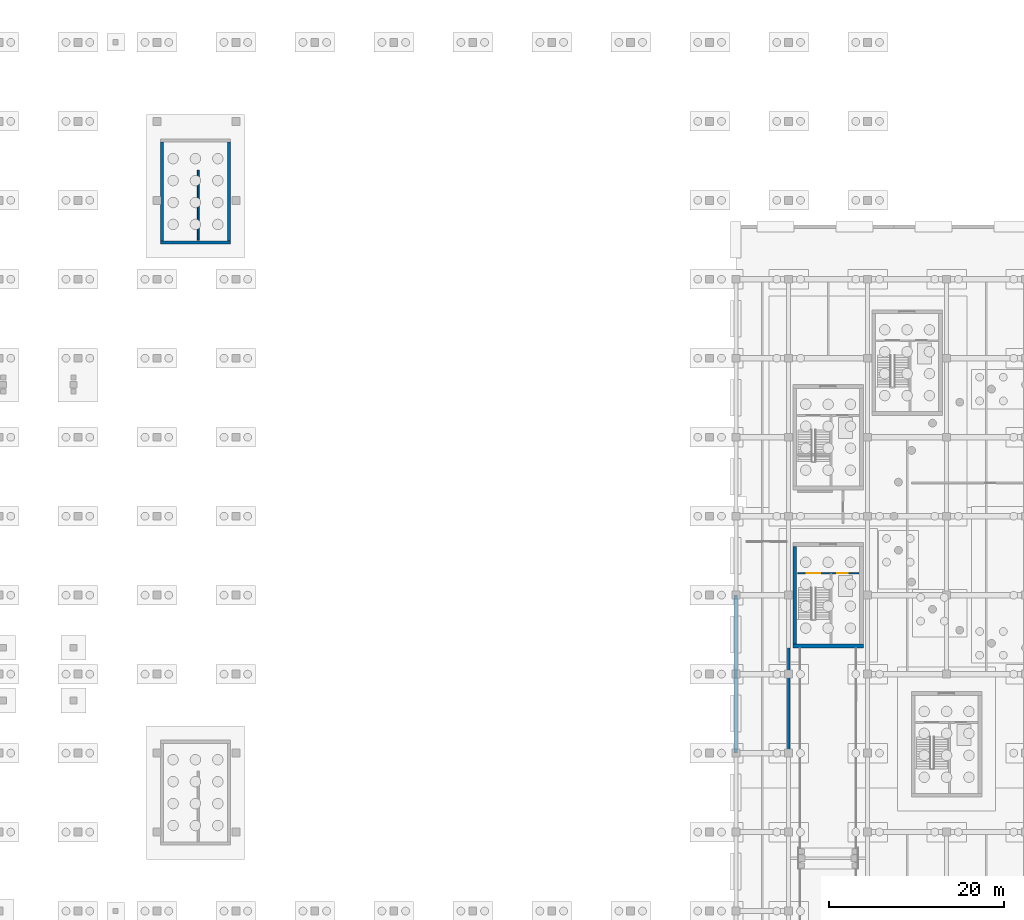
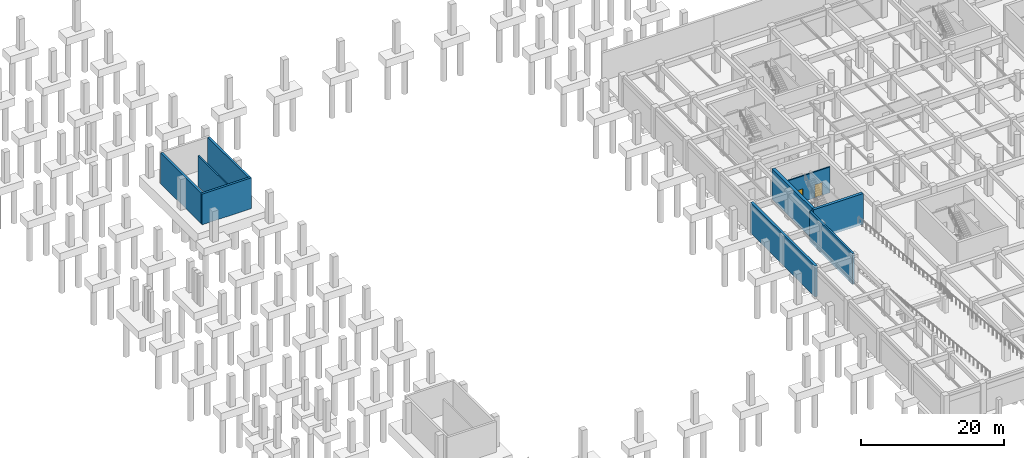
# One storey, part 17 of 27: 9 walls, 2 doors, 2 openings.
"""IFC4 building model written with IfcOpenShell, lengths in metres."""

from ifc_helpers import new_model, si_unit, direction, frame, frame_2d, origin, place, context, subcontext, project, spatial, rectangle, extrude, material, layer, layer_set, type_object, element, fill, save


model = new_model("IFC4")

# Units and contexts
model_context = context("Model", 3, precision=1e-05, world=origin(), true_north=direction((0.0, 1.0)))
body_context = subcontext(model_context, "Body", "Model", "MODEL_VIEW")
ifc_project = project(units=[si_unit("LENGTHUNIT", "METRE"), si_unit("AREAUNIT", "SQUARE_METRE"), si_unit("VOLUMEUNIT", "CUBIC_METRE"), si_unit("PLANEANGLEUNIT", "RADIAN"), si_unit("MASSUNIT", "GRAM", prefix="KILO")], contexts=[model_context])

# Site, building, storey
site_placement = place(None, origin())
site = spatial("IfcSite", under=ifc_project, at=site_placement, CompositionType="ELEMENT")
building_placement = place(site_placement, origin())
building = spatial("IfcBuilding", under=site, at=building_placement, Name="Dornveld Trade and Exhibition Forum", CompositionType="ELEMENT")
storey_placement = place(building_placement, frame((0.0, 0.0, -4.800048828125)))
storey = spatial("IfcBuildingStorey", under=building, at=storey_placement, Name="B1", CompositionType="ELEMENT", Elevation=-4.800048828125)

# Walls
ifc_material_1 = material(Name="Concrete C40/50", Category="concrete")
ifc_layer_1 = layer(ifc_material_1, 0.35009765625)
ifc_layer_set_1 = layer_set([ifc_layer_1], Name="Concrete C40/50")
wall_type_1 = type_object("IfcWallType", Name="WL-CORE-350", PredefinedType="SHEAR", material=ifc_layer_set_1)
wall_1_placement = place(storey_placement, frame((18.425048828125, 112.199951171875, -0.449951171875), z_axis=(0.0, 0.0, 1.0), x_axis=(1.0, 0.0, 0.0)))
element("IfcWall", 1, at=wall_1_placement, inside=storey, type_object=wall_type_1, Name="CORE-10 B1 shear wall S", PredefinedType="SHEAR", context=body_context, shape_type="SweptSolid", body=[
    extrude(rectangle(XDim=7.949951171875, YDim=0.35009765625, at=frame_2d((3.97509765625, 0.0))), origin(), (0.0, 0.0, 1.0), 5.25),
])
for number, where, z_axis, x_axis, name in (
    (2, (18.60009765625, 112.375, -0.449951171875), (0.0, 0.0, 1.0), (0.0, 1.0, 0.0), "CORE-10 B1 shear wall W"),
    (3, (26.199951171875, 112.375, -0.449951171875), (0.0, 0.0, 1.0), (0.0, 1.0, 0.0), "CORE-10 B1 shear wall E"),
):
    element("IfcWall", number, at=place(storey_placement, frame(where, z_axis=z_axis, x_axis=x_axis)), inside=storey, type_object=wall_type_1, Name=name, PredefinedType="SHEAR", context=body_context, shape_type="SweptSolid", body=[
        extrude(rectangle(XDim=11.25, YDim=0.35009765625, at=frame_2d((5.625, 0.0))), origin(), (0.0, 0.0, 1.0), 5.25),
    ])
ifc_material_2 = material(Name="Concrete C40/50", Category="concrete")
ifc_layer_2 = layer(ifc_material_2, 0.449951171875)
ifc_layer_set_2 = layer_set([ifc_layer_2], Name="Concrete C40/50")
wall_type_2 = type_object("IfcWallType", Name="WL-CORE-450", PredefinedType="SHEAR", material=ifc_layer_set_2)
wall_2_placement = place(storey_placement, frame((90.47509765625, 66.199951171875, -0.449951171875), z_axis=(0.0, 0.0, 1.0), x_axis=(1.0, 0.0, 0.0)))
element("IfcWall", 4, at=wall_2_placement, inside=storey, type_object=wall_type_2, Name="CORE-05 B1 shear wall S", PredefinedType="SHEAR", context=body_context, shape_type="SweptSolid", body=[
    extrude(rectangle(XDim=8.0498046875, YDim=0.449951171875, at=frame_2d((4.02490234375, 0.0))), origin(), (0.0, 0.0, 1.0), 5.25),
])
wall_3_placement = place(storey_placement, frame((90.699951171875, 66.425048828125, -0.449951171875), z_axis=(0.0, 0.0, 1.0), x_axis=(0.0, 1.0, 0.0)))
element("IfcWall", 5, at=wall_3_placement, inside=storey, type_object=wall_type_2, Name="CORE-05 B1 shear wall W", PredefinedType="SHEAR", context=body_context, shape_type="SweptSolid", body=[
    extrude(rectangle(XDim=11.14990234375, YDim=0.449951171875, at=frame_2d((5.574951171875, 0.0))), origin(), (0.0, 0.0, 1.0), 5.25),
])
ifc_material_3 = material(Name="Concrete C40/50", Category="concrete")
ifc_layer_3 = layer(ifc_material_3, 0.300048828125)
ifc_layer_set_3 = layer_set([ifc_layer_3], Name="Concrete C40/50")
wall_type_3 = type_object("IfcWallType", Name="WL-DIV-300", PredefinedType="SHEAR", material=ifc_layer_set_3)
wall_4_placement = place(storey_placement, frame((90.0, 54.0, -0.449951171875), z_axis=(0.0, 0.0, 1.0), x_axis=(0.0, 1.0, 0.0)))
element("IfcWall", 6, at=wall_4_placement, inside=storey, type_object=wall_type_3, Name="B1 fire division shear wall 1", PredefinedType="SHEAR", context=body_context, shape_type="SweptSolid", body=[
    extrude(rectangle(XDim=12.0, YDim=0.300048828125, at=frame_2d((6.0, 0.0))), origin(), (0.0, 0.0, 1.0), 5.25),
])

# Wall, openings, doors
ifc_material_4 = material(Name="Concrete C40/50", Category="concrete")
ifc_layer_4 = layer(ifc_material_4, 0.219970703125)
ifc_layer_set_4 = layer_set([ifc_layer_4], Name="Concrete C40/50")
wall_type_4 = type_object("IfcWallType", Name="WL-INT-LOB220", PredefinedType="SOLIDWALL", material=ifc_layer_set_4)
wall_5_placement = place(storey_placement, frame((91.0, 74.5, 0.0), z_axis=(0.0, 0.0, 1.0), x_axis=(1.0, 0.0, 0.0)))
wall_5 = element("IfcWall", 7, at=wall_5_placement, inside=storey, type_object=wall_type_4, Name="CORE-05 B1 protected lobby bulkhead wall", PredefinedType="SOLIDWALL", context=body_context, shape_type="SweptSolid", body=[
    extrude(rectangle(XDim=7.0, YDim=0.219970703125, at=frame_2d((3.5, 0.0))), origin(), (0.0, 0.0, 1.0), 4.400146484375),
])
opening_1_placement = place(wall_5_placement, frame((1.050048828125, 0.0, 0.0)))
opening_1 = element("IfcOpeningElement", 8, at=opening_1_placement, cuts=wall_5, Name="Opening SD-05-B1", PredefinedType="OPENING", context=body_context, shape_type="SweptSolid", body=[
    extrude(rectangle(XDim=1.550048828125, YDim=2.199951171875, at=frame_2d((0.77490234375, 1.10009765625))), frame((0.0, 0.119873046875, 0.0), z_axis=(0.0, -1.0, 0.0), x_axis=(1.0, 0.0, 0.0)), (0.0, 0.0, 1.0), 0.239990234375),
])
opening_2_placement = place(wall_5_placement, frame((4.550048828125, 0.0, 0.0)))
opening_2 = element("IfcOpeningElement", 9, at=opening_2_placement, cuts=wall_5, Name="Opening LD-05-B1", PredefinedType="OPENING", context=body_context, shape_type="SweptSolid", body=[
    extrude(rectangle(XDim=1.199951171875, YDim=2.199951171875, at=frame_2d((0.60009765625, 1.10009765625))), frame((0.0, 0.119873046875, 0.0), z_axis=(0.0, -1.0, 0.0), x_axis=(1.0, 0.0, 0.0)), (0.0, 0.0, 1.0), 0.239990234375),
])
ifc_material_5 = material(Name="Brushed stainless steel sliding lift landing door", Category="steel")
door_type_1 = type_object("IfcDoorType", Name="DR-LIFT-120x220", OperationType="NOTDEFINED", PredefinedType="DOOR", material=ifc_material_5)
door_1_placement = place(opening_2_placement, origin())
door_1 = element("IfcDoor", 10, at=door_1_placement, inside=storey, type_object=door_type_1, Name="CORE-05 B1 lift sliding landing door", OperationType="SLIDING_TO_LEFT", OverallHeight=2.199951171875, OverallWidth=1.199951171875, PredefinedType="DOOR", context=body_context, shape_type="SweptSolid", body=[
    extrude(rectangle(XDim=1.199951171875, YDim=2.199951171875, at=frame_2d((0.60009765625, 1.10009765625))), frame((0.0, 0.02490234375, 0.0), z_axis=(0.0, -1.0, 0.0), x_axis=(1.0, 0.0, 0.0)), (0.0, 0.0, 1.0), 0.050048828125),
])
fill(opening_2, door_1)
ifc_material_6 = material(Name="Steel fire-rated stair door assembly", Category="steel")
door_type_2 = type_object("IfcDoorType", Name="DR-STAIR-155x220", OperationType="NOTDEFINED", PredefinedType="DOOR", material=ifc_material_6)
door_2_placement = place(opening_1_placement, origin())
door_2 = element("IfcDoor", 11, at=door_2_placement, inside=storey, type_object=door_type_2, Name="CORE-05 B1 protected stair door", OperationType="SINGLE_SWING_LEFT", OverallHeight=2.199951171875, OverallWidth=1.550048828125, PredefinedType="DOOR", context=body_context, shape_type="SweptSolid", body=[
    extrude(rectangle(XDim=1.550048828125, YDim=2.199951171875, at=frame_2d((0.77490234375, 1.10009765625))), frame((0.0, 0.02490234375, 0.0), z_axis=(0.0, -1.0, 0.0), x_axis=(1.0, 0.0, 0.0)), (0.0, 0.0, 1.0), 0.050048828125),
])
fill(opening_1, door_2)

# Walls
ifc_material_7 = material(Name="Concrete C40/50", Category="concrete")
ifc_layer_5 = layer(ifc_material_7, 0.199951171875)
ifc_layer_set_5 = layer_set([ifc_layer_5], Name="Concrete C40/50")
wall_type_5 = type_object("IfcWallType", Name="WL-INT-SHAFT200", PredefinedType="SOLIDWALL", material=ifc_layer_set_5)
wall_6_placement = place(storey_placement, frame((22.719970703125, 112.449951171875, -0.449951171875), z_axis=(0.0, 0.0, 1.0), x_axis=(0.0, 1.0, 0.0)))
element("IfcWall", 12, at=wall_6_placement, inside=storey, type_object=wall_type_5, Name="CORE-10 B1 lift-stair structural shaft wall", PredefinedType="SOLIDWALL", context=body_context, shape_type="SweptSolid", body=[
    extrude(rectangle(XDim=8.0, YDim=0.199951171875, at=frame_2d((4.0, 0.0))), origin(), (0.0, 0.0, 1.0), 5.25),
])
ifc_material_8 = material(Name="Concrete C40/50", Category="concrete")
ifc_layer_6 = layer(ifc_material_8, 0.39990234375)
ifc_layer_set_6 = layer_set([ifc_layer_6], Name="Concrete C40/50")
wall_type_6 = type_object("IfcWallType", Name="WL-RET-400", PredefinedType="USERDEFINED", material=ifc_layer_set_6)
wall_7_placement = place(storey_placement, frame((84.0, 54.0, -0.449951171875), z_axis=(0.0, 0.0, 1.0), x_axis=(0.0, 1.0, 0.0)))
element("IfcWall", 13, at=wall_7_placement, inside=storey, type_object=wall_type_6, Name="B1 retaining wall W bay 3", ObjectType="RETAINING_WALL", PredefinedType="USERDEFINED", context=body_context, shape_type="SweptSolid", body=[
    extrude(rectangle(XDim=18.0, YDim=0.39990234375, at=frame_2d((9.0, 0.0))), origin(), (0.0, 0.0, 1.0), 5.25),
])

save(model, "model.ifc")
